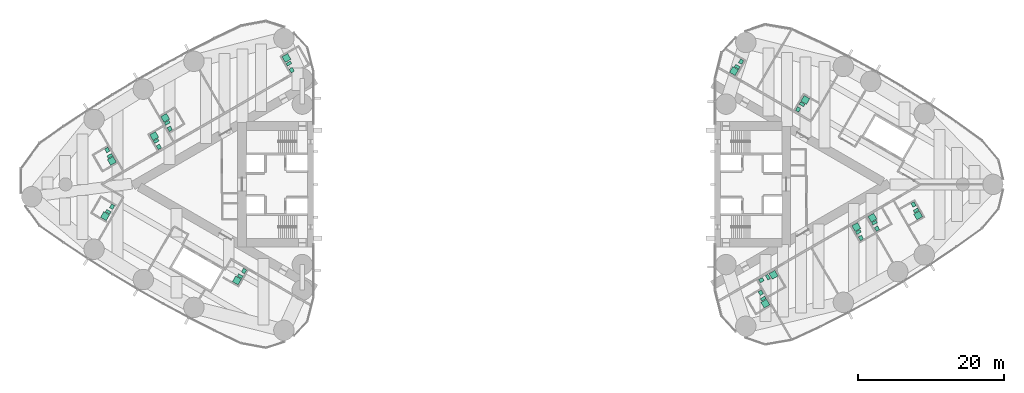
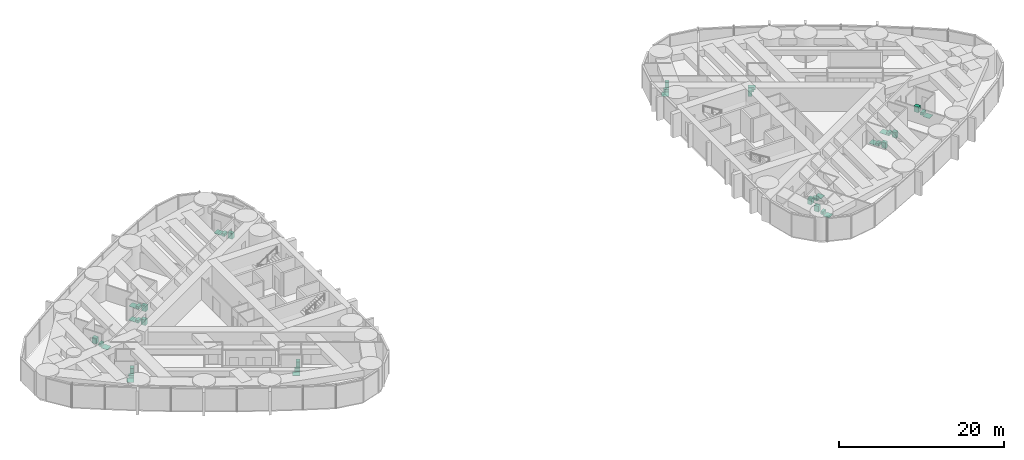
# One storey, part 19 of 19: 17 sanitary terminals.
"""IFC4 building model written with IfcOpenShell, lengths in metres."""

from ifc_helpers import new_model, si_unit, direction, frame, origin, origin_2d, place, context, subcontext, project, spatial, rectangle, extrude, material, type_object, element, save


model = new_model("IFC4")

# Units and contexts
model_context = context("Model", 3, precision=1e-05, world=origin(), true_north=direction((0.0, 1.0)))
body_context = subcontext(model_context, "Body", "Model", "MODEL_VIEW")
ifc_project = project(units=[si_unit("LENGTHUNIT", "METRE"), si_unit("AREAUNIT", "SQUARE_METRE"), si_unit("VOLUMEUNIT", "CUBIC_METRE"), si_unit("PLANEANGLEUNIT", "RADIAN"), si_unit("MASSUNIT", "GRAM", prefix="KILO")], contexts=[model_context])

# Site, building, storey
site_placement = place(None, origin())
site = spatial("IfcSite", under=ifc_project, at=site_placement, CompositionType="ELEMENT")
building_placement = place(site_placement, origin())
building = spatial("IfcBuilding", under=site, at=building_placement, Name="Lancet Gate Hotel", CompositionType="ELEMENT")
storey_placement = place(building_placement, frame((0.0, 0.0, 177.300048828125)))
storey = spatial("IfcBuildingStorey", under=building, at=storey_placement, Name="L47", CompositionType="ELEMENT", Elevation=177.300048828125)

# Sanitary terminals
ifc_material_1 = material(Name="Vitreous china sanitary ware")
sanitary_terminal_type_1 = type_object("IfcSanitaryTerminalType", Name="En-suite sanitary set (shower, WC, basin)", PredefinedType="USERDEFINED", material=ifc_material_1)
sanitary_terminal_1_placement = place(storey_placement, frame((-47.835205078125, 9.1181640625, 0.0), z_axis=(0.0, 0.0, 1.0), x_axis=(1.0, 0.0, 0.0)))
element("IfcSanitaryTerminal", 1, at=sanitary_terminal_1_placement, inside=storey, type_object=sanitary_terminal_type_1, Name="En-suite sanitary set (shower, WC, basin) 4702", ObjectType="EN-SUITE SANITARY SET", PredefinedType="USERDEFINED", context=body_context, shape_type="SweptSolid", body=[
    extrude(rectangle(XDim=0.89990234375, YDim=0.89990234375, at=origin_2d()), frame((0.0, 0.0, 0.0), z_axis=(0.0, 0.0, 1.0), x_axis=(-0.5, 0.866025403784, 0.0)), (0.0, 0.0, 1.0), 0.050048828125),
    extrude(rectangle(XDim=0.39990234375, YDim=0.699951171875, at=origin_2d()), frame((0.2783203125, -0.682373046875, 0.0), z_axis=(0.0, 0.0, 1.0), x_axis=(-0.5, 0.866025403784, 0.0)), (0.0, 0.0, 1.0), 0.39990234375),
    extrude(rectangle(XDim=0.60009765625, YDim=0.5, at=origin_2d()), frame((0.6318359375, -1.494384765625, 0.0), z_axis=(0.0, 0.0, 1.0), x_axis=(-0.5, 0.866025403784, 0.0)), (0.0, 0.0, 1.0), 0.85009765625),
])
sanitary_terminal_2_placement = place(storey_placement, frame((-49.343505859375, 6.630615234375, 0.0), z_axis=(0.0, 0.0, 1.0), x_axis=(1.0, 0.0, 0.0)))
element("IfcSanitaryTerminal", 2, at=sanitary_terminal_2_placement, inside=storey, type_object=sanitary_terminal_type_1, Name="En-suite sanitary set (shower, WC, basin) 4703", ObjectType="EN-SUITE SANITARY SET", PredefinedType="USERDEFINED", context=body_context, shape_type="SweptSolid", body=[
    extrude(rectangle(XDim=0.89990234375, YDim=0.89990234375, at=origin_2d()), frame((0.0, 0.0, 0.0), z_axis=(0.0, 0.0, 1.0), x_axis=(-0.5, 0.866025403784, 0.0)), (0.0, 0.0, 1.0), 0.050048828125),
    extrude(rectangle(XDim=0.39990234375, YDim=0.699951171875, at=origin_2d()), frame((0.2783203125, -0.68212890625, 0.0), z_axis=(0.0, 0.0, 1.0), x_axis=(-0.5, 0.866025403784, 0.0)), (0.0, 0.0, 1.0), 0.39990234375),
    extrude(rectangle(XDim=0.60009765625, YDim=0.5, at=origin_2d()), frame((0.631591796875, -1.494140625, 0.0), z_axis=(0.0, 0.0, 1.0), x_axis=(-0.5, 0.866025403784, 0.0)), (0.0, 0.0, 1.0), 0.85009765625),
])
sanitary_terminal_3_placement = place(storey_placement, frame((-55.1455078125, 3.211669921875, 0.0), z_axis=(0.0, 0.0, 1.0), x_axis=(1.0, 0.0, 0.0)))
element("IfcSanitaryTerminal", 3, at=sanitary_terminal_3_placement, inside=storey, type_object=sanitary_terminal_type_1, Name="En-suite sanitary set (shower, WC, basin) 4704", ObjectType="EN-SUITE SANITARY SET", PredefinedType="USERDEFINED", context=body_context, shape_type="SweptSolid", body=[
    extrude(rectangle(XDim=0.89990234375, YDim=0.89990234375, at=origin_2d()), frame((0.0, 0.0, 0.0), z_axis=(0.0, 0.0, 1.0), x_axis=(0.5, -0.866025403784, 0.0)), (0.0, 0.0, 1.0), 0.050048828125),
    extrude(rectangle(XDim=0.39990234375, YDim=0.699951171875, at=origin_2d()), frame((-0.278564453125, 0.68212890625, 0.0), z_axis=(0.0, 0.0, 1.0), x_axis=(0.5, -0.866025403784, 0.0)), (0.0, 0.0, 1.0), 0.39990234375),
    extrude(rectangle(XDim=0.60009765625, YDim=0.5, at=origin_2d()), frame((-0.6318359375, 1.494140625, 0.0), z_axis=(0.0, 0.0, 1.0), x_axis=(0.5, -0.866025403784, 0.0)), (0.0, 0.0, 1.0), 0.85009765625),
])
sanitary_terminal_4_placement = place(storey_placement, frame((-56.092041015625, -4.35107421875, 0.0), z_axis=(0.0, 0.0, 1.0), x_axis=(1.0, 0.0, 0.0)))
element("IfcSanitaryTerminal", 4, at=sanitary_terminal_4_placement, inside=storey, type_object=sanitary_terminal_type_1, Name="En-suite sanitary set (shower, WC, basin) 4705", ObjectType="EN-SUITE SANITARY SET", PredefinedType="USERDEFINED", context=body_context, shape_type="SweptSolid", body=[
    extrude(rectangle(XDim=0.89990234375, YDim=0.89990234375, at=origin_2d()), frame((0.0, 0.0, 0.0), z_axis=(0.0, 0.0, 1.0), x_axis=(-0.5, -0.866025403784, 0.0)), (0.0, 0.0, 1.0), 0.050048828125),
    extrude(rectangle(XDim=0.39990234375, YDim=0.699951171875, at=origin_2d()), frame((0.45166015625, 0.582275390625, 0.0), z_axis=(0.0, 0.0, 1.0), x_axis=(-0.5, -0.866025403784, 0.0)), (0.0, 0.0, 1.0), 0.39990234375),
    extrude(rectangle(XDim=0.60009765625, YDim=0.5, at=origin_2d()), frame((0.97802734375, 1.29443359375, 0.0), z_axis=(0.0, 0.0, 1.0), x_axis=(-0.5, -0.866025403784, 0.0)), (0.0, 0.0, 1.0), 0.85009765625),
])
sanitary_terminal_5_placement = place(storey_placement, frame((-38.01171875, -13.173095703125, 0.0), z_axis=(0.0, 0.0, 1.0), x_axis=(1.0, 0.0, 0.0)))
element("IfcSanitaryTerminal", 5, at=sanitary_terminal_5_placement, inside=storey, type_object=sanitary_terminal_type_1, Name="En-suite sanitary set (shower, WC, basin) 4708", ObjectType="EN-SUITE SANITARY SET", PredefinedType="USERDEFINED", context=body_context, shape_type="SweptSolid", body=[
    extrude(rectangle(XDim=0.89990234375, YDim=0.89990234375, at=origin_2d()), frame((0.0, 0.0, 0.0), z_axis=(0.0, 0.0, 1.0), x_axis=(-0.5, -0.866025403784, 0.0)), (0.0, 0.0, 1.0), 0.050048828125),
    extrude(rectangle(XDim=0.39990234375, YDim=0.699951171875, at=origin_2d()), frame((0.45166015625, 0.58203125, 0.0), z_axis=(0.0, 0.0, 1.0), x_axis=(-0.5, -0.866025403784, 0.0)), (0.0, 0.0, 1.0), 0.39990234375),
    extrude(rectangle(XDim=0.60009765625, YDim=0.5, at=origin_2d()), frame((0.978271484375, 1.294189453125, 0.0), z_axis=(0.0, 0.0, 1.0), x_axis=(-0.5, -0.866025403784, 0.0)), (0.0, 0.0, 1.0), 0.85009765625),
])
sanitary_terminal_6_placement = place(storey_placement, frame((34.43994140625, -16.351806640625, 0.0), z_axis=(0.0, 0.0, 1.0), x_axis=(1.0, 0.0, 0.0)))
element("IfcSanitaryTerminal", 6, at=sanitary_terminal_6_placement, inside=storey, type_object=sanitary_terminal_type_1, Name="En-suite sanitary set (shower, WC, basin) 4751", ObjectType="EN-SUITE SANITARY SET", PredefinedType="USERDEFINED", context=body_context, shape_type="SweptSolid", body=[
    extrude(rectangle(XDim=0.89990234375, YDim=0.89990234375, at=origin_2d()), frame((0.0, 0.0, 0.0), z_axis=(0.0, 0.0, 1.0), x_axis=(0.5, -0.866025403784, 0.0)), (0.0, 0.0, 1.0), 0.050048828125),
    extrude(rectangle(XDim=0.39990234375, YDim=0.699951171875, at=origin_2d()), frame((-0.2783203125, 0.68212890625, 0.0), z_axis=(0.0, 0.0, 1.0), x_axis=(0.5, -0.866025403784, 0.0)), (0.0, 0.0, 1.0), 0.39990234375),
    extrude(rectangle(XDim=0.60009765625, YDim=0.5, at=origin_2d()), frame((-0.6318359375, 1.494140625, 0.0), z_axis=(0.0, 0.0, 1.0), x_axis=(0.5, -0.866025403784, 0.0)), (0.0, 0.0, 1.0), 0.85009765625),
])
sanitary_terminal_7_placement = place(storey_placement, frame((46.909912109375, -5.849853515625, 0.0), z_axis=(0.0, 0.0, 1.0), x_axis=(1.0, 0.0, 0.0)))
element("IfcSanitaryTerminal", 7, at=sanitary_terminal_7_placement, inside=storey, type_object=sanitary_terminal_type_1, Name="En-suite sanitary set (shower, WC, basin) 4754", ObjectType="EN-SUITE SANITARY SET", PredefinedType="USERDEFINED", context=body_context, shape_type="SweptSolid", body=[
    extrude(rectangle(XDim=0.89990234375, YDim=0.89990234375, at=origin_2d()), frame((0.0, 0.0, 0.0), z_axis=(0.0, 0.0, 1.0), x_axis=(-0.5, 0.866025403784, 0.0)), (0.0, 0.0, 1.0), 0.050048828125),
    extrude(rectangle(XDim=0.39990234375, YDim=0.699951171875, at=origin_2d()), frame((0.2783203125, -0.68212890625, 0.0), z_axis=(0.0, 0.0, 1.0), x_axis=(-0.5, 0.866025403784, 0.0)), (0.0, 0.0, 1.0), 0.39990234375),
    extrude(rectangle(XDim=0.60009765625, YDim=0.5, at=origin_2d()), frame((0.6318359375, -1.494384765625, 0.0), z_axis=(0.0, 0.0, 1.0), x_axis=(-0.5, 0.866025403784, 0.0)), (0.0, 0.0, 1.0), 0.85009765625),
])
sanitary_terminal_8_placement = place(storey_placement, frame((49.118408203125, -4.574951171875, 0.0), z_axis=(0.0, 0.0, 1.0), x_axis=(1.0, 0.0, 0.0)))
element("IfcSanitaryTerminal", 8, at=sanitary_terminal_8_placement, inside=storey, type_object=sanitary_terminal_type_1, Name="En-suite sanitary set (shower, WC, basin) 4756", ObjectType="EN-SUITE SANITARY SET", PredefinedType="USERDEFINED", context=body_context, shape_type="SweptSolid", body=[
    extrude(rectangle(XDim=0.89990234375, YDim=0.89990234375, at=origin_2d()), frame((0.0, 0.0, 0.0), z_axis=(0.0, 0.0, 1.0), x_axis=(-0.5, 0.866025403784, 0.0)), (0.0, 0.0, 1.0), 0.050048828125),
    extrude(rectangle(XDim=0.39990234375, YDim=0.699951171875, at=origin_2d()), frame((0.2783203125, -0.68212890625, 0.0), z_axis=(0.0, 0.0, 1.0), x_axis=(-0.5, 0.866025403784, 0.0)), (0.0, 0.0, 1.0), 0.39990234375),
    extrude(rectangle(XDim=0.60009765625, YDim=0.5, at=origin_2d()), frame((0.631591796875, -1.494140625, 0.0), z_axis=(0.0, 0.0, 1.0), x_axis=(-0.5, 0.866025403784, 0.0)), (0.0, 0.0, 1.0), 0.85009765625),
])
sanitary_terminal_9_placement = place(storey_placement, frame((55.39013671875, -4.25634765625, 0.0), z_axis=(0.0, 0.0, 1.0), x_axis=(1.0, 0.0, 0.0)))
element("IfcSanitaryTerminal", 9, at=sanitary_terminal_9_placement, inside=storey, type_object=sanitary_terminal_type_1, Name="En-suite sanitary set (shower, WC, basin) 4757", ObjectType="EN-SUITE SANITARY SET", PredefinedType="USERDEFINED", context=body_context, shape_type="SweptSolid", body=[
    extrude(rectangle(XDim=0.89990234375, YDim=0.89990234375, at=origin_2d()), frame((0.0, 0.0, 0.0), z_axis=(0.0, 0.0, 1.0), x_axis=(0.5, -0.866025403784, 0.0)), (0.0, 0.0, 1.0), 0.050048828125),
    extrude(rectangle(XDim=0.39990234375, YDim=0.699951171875, at=origin_2d()), frame((-0.2783203125, 0.68212890625, 0.0), z_axis=(0.0, 0.0, 1.0), x_axis=(0.5, -0.866025403784, 0.0)), (0.0, 0.0, 1.0), 0.39990234375),
    extrude(rectangle(XDim=0.60009765625, YDim=0.5, at=origin_2d()), frame((-0.6318359375, 1.494384765625, 0.0), z_axis=(0.0, 0.0, 1.0), x_axis=(0.5, -0.866025403784, 0.0)), (0.0, 0.0, 1.0), 0.85009765625),
])
sanitary_terminal_10_placement = place(storey_placement, frame((39.91796875, 11.572509765625, 0.0), z_axis=(0.0, 0.0, 1.0), x_axis=(1.0, 0.0, 0.0)))
element("IfcSanitaryTerminal", 10, at=sanitary_terminal_10_placement, inside=storey, type_object=sanitary_terminal_type_1, Name="En-suite sanitary set (shower, WC, basin) 4762", ObjectType="EN-SUITE SANITARY SET", PredefinedType="USERDEFINED", context=body_context, shape_type="SweptSolid", body=[
    extrude(rectangle(XDim=0.89990234375, YDim=0.89990234375, at=origin_2d()), frame((0.0, 0.0, 0.0), z_axis=(0.0, 0.0, 1.0), x_axis=(0.5, 0.866025403784, 0.0)), (0.0, 0.0, 1.0), 0.050048828125),
    extrude(rectangle(XDim=0.39990234375, YDim=0.699951171875, at=origin_2d()), frame((-0.45166015625, -0.582275390625, 0.0), z_axis=(0.0, 0.0, 1.0), x_axis=(0.5, 0.866025403784, 0.0)), (0.0, 0.0, 1.0), 0.39990234375),
    extrude(rectangle(XDim=0.60009765625, YDim=0.5, at=origin_2d()), frame((-0.978271484375, -1.294189453125, 0.0), z_axis=(0.0, 0.0, 1.0), x_axis=(0.5, 0.866025403784, 0.0)), (0.0, 0.0, 1.0), 0.85009765625),
])
sanitary_terminal_11_placement = place(storey_placement, frame((30.13916015625, 15.532470703125, 0.0), z_axis=(0.0, 0.0, 1.0), x_axis=(1.0, 0.0, 0.0)))
element("IfcSanitaryTerminal", 11, at=sanitary_terminal_11_placement, inside=storey, type_object=sanitary_terminal_type_1, Name="En-suite sanitary set (shower, WC, basin) 4764", ObjectType="EN-SUITE SANITARY SET", PredefinedType="USERDEFINED", context=body_context, shape_type="SweptSolid", body=[
    extrude(rectangle(XDim=0.89990234375, YDim=0.89990234375, at=origin_2d()), frame((0.0, 0.0, 0.0), z_axis=(0.0, 0.0, 1.0), x_axis=(-0.5, -0.866025403784, 0.0)), (0.0, 0.0, 1.0), 0.050048828125),
    extrude(rectangle(XDim=0.39990234375, YDim=0.699951171875, at=origin_2d()), frame((0.45166015625, 0.582275390625, 0.0), z_axis=(0.0, 0.0, 1.0), x_axis=(-0.5, -0.866025403784, 0.0)), (0.0, 0.0, 1.0), 0.39990234375),
    extrude(rectangle(XDim=0.60009765625, YDim=0.5, at=origin_2d()), frame((0.97802734375, 1.29443359375, 0.0), z_axis=(0.0, 0.0, 1.0), x_axis=(-0.5, -0.866025403784, 0.0)), (0.0, 0.0, 1.0), 0.85009765625),
])
ifc_material_2 = material(Name="Stone resin shower tray", Category="masonry")
sanitary_terminal_type_2 = type_object("IfcSanitaryTerminalType", Name="Shower tray 900", PredefinedType="SHOWER", material=ifc_material_2)
for number, where, z_axis, x_axis, name in (
    (12, (-31.216064453125, 17.327392578125, 0.0), (0.0, 0.0, 1.0), (-0.5, 0.866025403784, 0.0), "Shower tray 900 4701"),
    (13, (35.564697265625, -12.39990234375, 0.0), (0.0, 0.0, 1.0), (0.866025403784, 0.5, 0.0), "Shower tray 900 4752"),
):
    element("IfcSanitaryTerminal", number, at=place(storey_placement, frame(where, z_axis=z_axis, x_axis=x_axis)), inside=storey, type_object=sanitary_terminal_type_2, Name=name, PredefinedType="SHOWER", context=body_context, shape_type="SweptSolid", body=[
        extrude(rectangle(XDim=0.89990234375, YDim=0.89990234375, at=origin_2d()), origin(), (0.0, 0.0, 1.0), 0.050048828125),
    ])
ifc_material_3 = material(Name="Vitreous china sanitary ware")
sanitary_terminal_type_3 = type_object("IfcSanitaryTerminalType", Name="Vanity basin 600", PredefinedType="WASHHANDBASIN", material=ifc_material_3)
for number, where, z_axis, x_axis, name in (
    (14, (-30.484375, 15.659912109375, 0.0), (0.0, 0.0, 1.0), (-0.5, 0.866025403784, 0.0), "Vanity basin 600 4701"),
    (15, (33.897216796875, -13.1318359375, 0.0), (0.0, 0.0, 1.0), (0.866025403784, 0.5, 0.0), "Vanity basin 600 4752"),
):
    element("IfcSanitaryTerminal", number, at=place(storey_placement, frame(where, z_axis=z_axis, x_axis=x_axis)), inside=storey, type_object=sanitary_terminal_type_3, Name=name, PredefinedType="WASHHANDBASIN", context=body_context, shape_type="SweptSolid", body=[
        extrude(rectangle(XDim=0.60009765625, YDim=0.5, at=origin_2d()), origin(), (0.0, 0.0, 1.0), 0.85009765625),
    ])
ifc_material_4 = material(Name="Vitreous china sanitary ware")
sanitary_terminal_type_4 = type_object("IfcSanitaryTerminalType", Name="WC pan wall hung", PredefinedType="TOILETPAN", material=ifc_material_4)
for number, where, z_axis, x_axis, name in (
    (16, (-30.8876953125, 16.55859375, 0.0), (0.0, 0.0, 1.0), (-0.5, 0.866025403784, 0.0), "WC pan wall hung 4701"),
    (17, (34.7958984375, -12.728515625, 0.0), (0.0, 0.0, 1.0), (0.866025403784, 0.5, 0.0), "WC pan wall hung 4752"),
):
    element("IfcSanitaryTerminal", number, at=place(storey_placement, frame(where, z_axis=z_axis, x_axis=x_axis)), inside=storey, type_object=sanitary_terminal_type_4, Name=name, PredefinedType="TOILETPAN", context=body_context, shape_type="SweptSolid", body=[
        extrude(rectangle(XDim=0.39990234375, YDim=0.699951171875, at=origin_2d()), origin(), (0.0, 0.0, 1.0), 0.39990234375),
    ])

save(model, "model.ifc")
